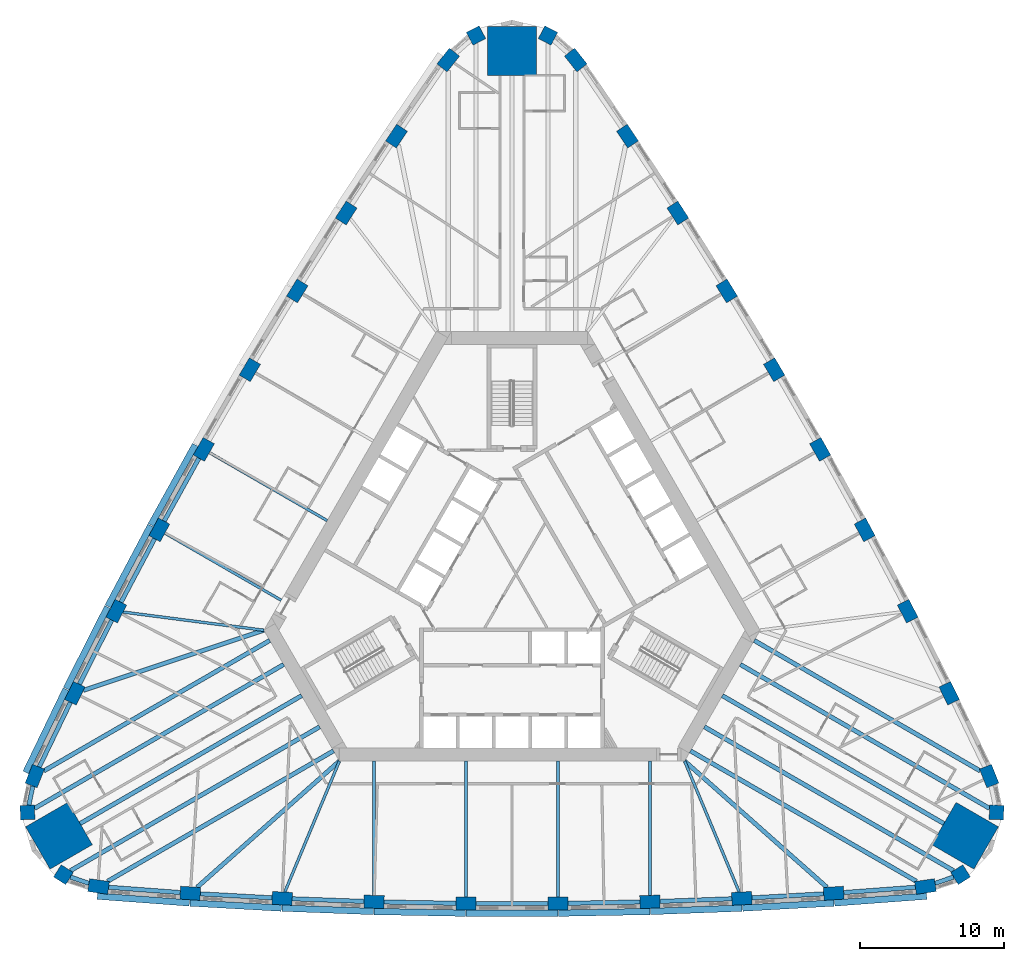
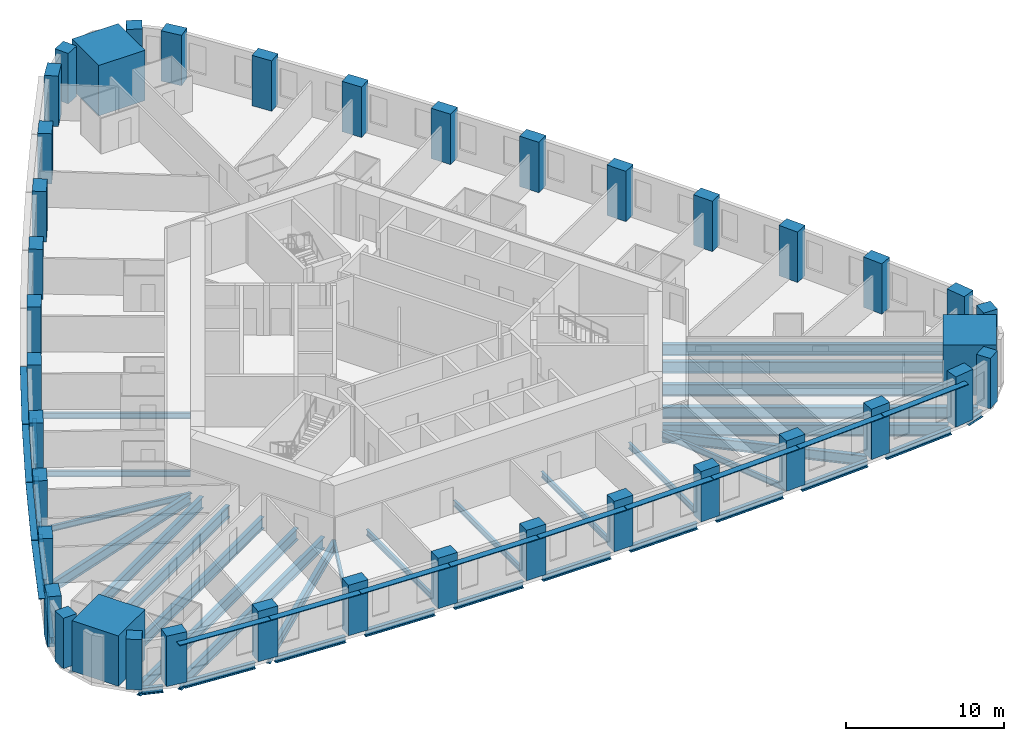
# One storey, part 1 of 12: 39 columns, 38 beams, 13 members.
"""IFC4 building model written with IfcOpenShell, lengths in metres."""

from ifc_helpers import new_model, si_unit, direction, frame, origin, origin_2d, place, context, subcontext, project, spatial, rectangle, i_section, extrude, material, material_profile, profile_set, type_object, element, save


model = new_model("IFC4")

# Units and contexts
model_context = context("Model", 3, precision=1e-05, world=origin(), true_north=direction((0.0, 1.0)))
body_context = subcontext(model_context, "Body", "Model", "MODEL_VIEW")
ifc_project = project(units=[si_unit("LENGTHUNIT", "METRE"), si_unit("AREAUNIT", "SQUARE_METRE"), si_unit("VOLUMEUNIT", "CUBIC_METRE"), si_unit("PLANEANGLEUNIT", "RADIAN"), si_unit("MASSUNIT", "GRAM", prefix="KILO")], contexts=[model_context])

# Site, building, storey
site_placement = place(None, origin())
site = spatial("IfcSite", under=ifc_project, at=site_placement, CompositionType="ELEMENT")
building_placement = place(site_placement, origin())
building = spatial("IfcBuilding", under=site, at=building_placement, Name="Mestral Congress Tower", CompositionType="ELEMENT")
storey_placement = place(building_placement, frame((0.0, 0.0, 43.199951171875)))
storey = spatial("IfcBuildingStorey", under=building, at=storey_placement, Name="L09", CompositionType="ELEMENT", Elevation=43.199951171875)

# Columns
ifc_material_1 = material(Name="Concrete C70/85", Category="concrete")
ifc_material_profile_1 = material_profile(ifc_material_1, rectangle(XDim=1.0, YDim=1.0, at=origin_2d()), Name="RC 1000x1000")
ifc_profile_set_1 = profile_set([ifc_material_profile_1], Name="Concrete C70/85")
column_type_1 = type_object("IfcColumnType", Name="Column RC 1000x1000 C70/85", PredefinedType="COLUMN", material=ifc_profile_set_1)
for number, where, z_axis, x_axis, name in (
    (1, (31.210205078125, -20.90966796875, 0.0), (0.0, 0.0, 1.0), (0.844485001826, 0.535579202071, 0.0), "COL-L09-C1-SE1"),
    (2, (33.71337890625, -16.573974609375, 0.0), (0.0, 0.0, 1.0), (0.041582693819, 0.999135065732, 0.0), "COL-L09-C1-SE3"),
    (3, (2.503173828125, 37.483642578125, 0.0), (0.0, 0.0, 1.0), (-0.886067695645, 0.463555863661, 0.0), "COL-L09-C1-N1"),
    (4, (-2.503173828125, 37.483642578125, 0.0), (0.0, 0.0, 1.0), (-0.886067695645, -0.463555863661, 0.0), "COL-L09-C1-N3"),
    (5, (-33.71337890625, -16.573974609375, 0.0), (0.0, 0.0, 1.0), (0.041582693819, -0.999135065732, 0.0), "COL-L09-C1-SW1"),
    (6, (-31.210205078125, -20.90966796875, 0.0), (0.0, 0.0, 1.0), (0.844485001826, -0.535579202071, 0.0), "COL-L09-C1-SW3"),
):
    element("IfcColumn", number, at=place(storey_placement, frame(where, z_axis=z_axis, x_axis=x_axis)), inside=storey, type_object=column_type_1, Name=name, PredefinedType="COLUMN", context=body_context, shape_type="SweptSolid", body=[
        extrude(rectangle(XDim=1.0, YDim=1.0, at=origin_2d()), origin(), (0.0, 0.0, 1.0), 3.900146484375),
    ])
ifc_material_profile_2 = material_profile(ifc_material_1, rectangle(XDim=1.39990234375, YDim=0.89990234375, at=origin_2d()), Name="RC 1400x900")
ifc_profile_set_2 = profile_set([ifc_material_profile_2], Name="Concrete C70/85")
column_type_2 = type_object("IfcColumnType", Name="Column RC 1400x900 C70/85", PredefinedType="COLUMN", material=ifc_profile_set_2)
for number, where, z_axis, x_axis, name in (
    (7, (-28.766845703125, -21.730712890625, 0.0), (0.0, 0.0, 1.0), (0.989423502484, -0.145055619443, 0.0), "COL-L09-C1-S00"),
    (8, (-22.384521484375, -22.20361328125, 0.0), (0.0, 0.0, 1.0), (0.997907501024, -0.064657709518, 0.0), "COL-L09-C1-S01"),
    (9, (-15.994384765625, -22.558349609375, 0.0), (0.0, 0.0, 1.0), (0.998932216029, -0.04619986774, 0.0), "COL-L09-C1-S02"),
    (10, (-9.598876953125, -22.794921875, 0.0), (0.0, 0.0, 1.0), (0.999615553977, -0.027726237529, 0.0), "COL-L09-C1-S03"),
    (11, (-3.199951171875, -22.9130859375, 0.0), (0.0, 0.0, 1.0), (0.999957281342, -0.009243132098, 0.0), "COL-L09-C1-S04"),
    (12, (3.199951171875, -22.9130859375, 0.0), (0.0, 0.0, 1.0), (0.999957281342, 0.009243132098, 0.0), "COL-L09-C1-S05"),
    (13, (9.598876953125, -22.794921875, 0.0), (0.0, 0.0, 1.0), (0.999615553977, 0.027726237529, 0.0), "COL-L09-C1-S06"),
    (14, (15.994384765625, -22.558349609375, 0.0), (0.0, 0.0, 1.0), (0.998932216029, 0.04619986774, 0.0), "COL-L09-C1-S07"),
    (15, (22.384521484375, -22.20361328125, 0.0), (0.0, 0.0, 1.0), (0.997907501024, 0.064657709518, 0.0), "COL-L09-C1-S08"),
    (16, (28.766845703125, -21.730712890625, 0.0), (0.0, 0.0, 1.0), (0.989423502484, 0.145055619443, 0.0), "COL-L09-C1-S09"),
    (17, (33.202880859375, -14.04736328125, 0.0), (0.0, 0.0, 1.0), (-0.369089899843, 0.929393697974, 0.0), "COL-L09-C1-E00"),
    (18, (30.421142578125, -8.28369140625, 0.0), (0.0, 0.0, 1.0), (-0.442958531519, 0.896542101273, 0.0), "COL-L09-C1-E01"),
    (19, (27.533203125, -2.572265625, 0.0), (0.0, 0.0, 1.0), (-0.4594558489, 0.88820060961, 0.0), "COL-L09-C1-E02"),
    (20, (24.540283203125, 3.084716796875, 0.0), (0.0, 0.0, 1.0), (-0.475796150937, 0.879555582526, 0.0), "COL-L09-C1-E03"),
    (21, (21.443359375, 8.685302734375, 0.0), (0.0, 0.0, 1.0), (-0.491973853463, 0.870609974391, 0.0), "COL-L09-C1-E04"),
    (22, (18.243408203125, 14.227783203125, 0.0), (0.0, 0.0, 1.0), (-0.507983427879, 0.861366842292, 0.0), "COL-L09-C1-E05"),
    (23, (14.941650390625, 19.710205078125, 0.0), (0.0, 0.0, 1.0), (-0.52381940304, 0.851829344998, 0.0), "COL-L09-C1-E06"),
    (24, (11.5390625, 25.130615234375, 0.0), (0.0, 0.0, 1.0), (-0.539476367129, 0.84200074187, 0.0), "COL-L09-C1-E07"),
    (25, (8.03662109375, 30.4873046875, 0.0), (0.0, 0.0, 1.0), (-0.554948969505, 0.831884391755, 0.0), "COL-L09-C1-E08"),
    (26, (4.43603515625, 35.7783203125, 0.0), (0.0, 0.0, 1.0), (-0.620333602641, 0.784338078531, 0.0), "COL-L09-C1-E09"),
    (27, (-4.43603515625, 35.7783203125, 0.0), (0.0, 0.0, 1.0), (-0.620333602641, -0.784338078531, 0.0), "COL-L09-C1-W00"),
    (28, (-8.03662109375, 30.4873046875, 0.0), (0.0, 0.0, 1.0), (-0.554948969505, -0.831884391755, 0.0), "COL-L09-C1-W01"),
    (29, (-11.5390625, 25.130615234375, 0.0), (0.0, 0.0, 1.0), (-0.539476367129, -0.84200074187, 0.0), "COL-L09-C1-W02"),
    (30, (-14.941650390625, 19.710205078125, 0.0), (0.0, 0.0, 1.0), (-0.52381940304, -0.851829344998, 0.0), "COL-L09-C1-W03"),
    (31, (-18.243408203125, 14.227783203125, 0.0), (0.0, 0.0, 1.0), (-0.507983427879, -0.861366842292, 0.0), "COL-L09-C1-W04"),
    (32, (-21.443359375, 8.685302734375, 0.0), (0.0, 0.0, 1.0), (-0.491973853463, -0.870609974391, 0.0), "COL-L09-C1-W05"),
    (33, (-24.540283203125, 3.084716796875, 0.0), (0.0, 0.0, 1.0), (-0.475796150937, -0.879555582526, 0.0), "COL-L09-C1-W06"),
    (34, (-27.533203125, -2.572265625, 0.0), (0.0, 0.0, 1.0), (-0.4594558489, -0.88820060961, 0.0), "COL-L09-C1-W07"),
    (35, (-30.421142578125, -8.28369140625, 0.0), (0.0, 0.0, 1.0), (-0.442958531519, -0.896542101273, 0.0), "COL-L09-C1-W08"),
    (36, (-33.202880859375, -14.04736328125, 0.0), (0.0, 0.0, 1.0), (-0.369089899843, -0.929393697974, 0.0), "COL-L09-C1-W09"),
):
    element("IfcColumn", number, at=place(storey_placement, frame(where, z_axis=z_axis, x_axis=x_axis)), inside=storey, type_object=column_type_2, Name=name, PredefinedType="COLUMN", context=body_context, shape_type="SweptSolid", body=[
        extrude(rectangle(XDim=1.39990234375, YDim=0.89990234375, at=origin_2d()), origin(), (0.0, 0.0, 1.0), 3.900146484375),
    ])
ifc_material_2 = material(Name="Concrete C80/95", Category="concrete")
ifc_material_profile_3 = material_profile(ifc_material_2, rectangle(XDim=3.39990234375, YDim=3.39990234375, at=origin_2d()), Name="RC 3400x3400")
ifc_profile_set_3 = profile_set([ifc_material_profile_3], Name="Concrete C80/95")
column_type_3 = type_object("IfcColumnType", Name="Mega column RC 3400x3400 C80/95", PredefinedType="COLUMN", material=ifc_profile_set_3)
for number, where, z_axis, x_axis, name in (
    (37, (31.5224609375, -18.199462890625, 0.0), (0.0, 0.0, 1.0), (0.866025403784, -0.5, 0.0), "COL-L09-PY1-SE"),
    (38, (0.0, 36.39892578125, 0.0), (0.0, 0.0, 1.0), (0.0, 1.0, 0.0), "COL-L09-PY1-N"),
    (39, (-31.5224609375, -18.199462890625, 0.0), (0.0, 0.0, 1.0), (-0.866025403784, -0.5, 0.0), "COL-L09-PY1-SW"),
):
    element("IfcColumn", number, at=place(storey_placement, frame(where, z_axis=z_axis, x_axis=x_axis)), inside=storey, type_object=column_type_3, Name=name, PredefinedType="COLUMN", context=body_context, shape_type="SweptSolid", body=[
        extrude(rectangle(XDim=3.39990234375, YDim=3.39990234375, at=origin_2d()), origin(), (0.0, 0.0, 1.0), 3.900146484375),
    ])

# Members
ifc_material_3 = material(Name="Glazed ceramic", Category="masonry")
ifc_material_profile_4 = material_profile(ifc_material_3, rectangle(XDim=0.449951171875, YDim=0.06005859375, at=origin_2d()), Name="Ceramic blade 450 x 60")
ifc_profile_set_4 = profile_set([ifc_material_profile_4], Name="Glazed ceramic")
member_type = type_object("IfcMemberType", Name="Facade sunshade blade 450 x 60", PredefinedType="USERDEFINED", material=ifc_profile_set_4)
member_1_placement = place(storey_placement, frame((-28.853271484375, -22.4013671875, 3.280029296875), z_axis=(0.997269829073, -0.073843672858, 0.0), x_axis=(0.073843672858, 0.997269829073, 0.0)))
element("IfcMember", 40, at=member_1_placement, inside=storey, type_object=member_type, Name="Sunshade F0-00", ObjectType="SUNSHADE", PredefinedType="USERDEFINED", context=body_context, shape_type="SweptSolid", body=[
    extrude(rectangle(XDim=0.449951171875, YDim=0.06005859375, at=origin_2d()), origin(), (0.0, 0.0, 1.0), 6.420654296875),
])
member_2_placement = place(storey_placement, frame((-22.406005859375, -22.87841796875, 3.280029296875), z_axis=(0.998462240013, -0.055436046654, 0.0), x_axis=(0.055436046654, 0.998462240013, 0.0)))
element("IfcMember", 41, at=member_2_placement, inside=storey, type_object=member_type, Name="Sunshade F0-01", ObjectType="SUNSHADE", PredefinedType="USERDEFINED", context=body_context, shape_type="SweptSolid", body=[
    extrude(rectangle(XDim=0.449951171875, YDim=0.06005859375, at=origin_2d()), origin(), (0.0, 0.0, 1.0), 6.3681640625),
])
member_3_placement = place(storey_placement, frame((-16.00341796875, -23.2333984375, 3.280029296875), z_axis=(0.99931546381, -0.036994645436, 0.0), x_axis=(0.036994645436, 0.99931546381, 0.0)))
element("IfcMember", 42, at=member_3_placement, inside=storey, type_object=member_type, Name="Sunshade F0-02", ObjectType="SUNSHADE", PredefinedType="USERDEFINED", context=body_context, shape_type="SweptSolid", body=[
    extrude(rectangle(XDim=0.449951171875, YDim=0.06005859375, at=origin_2d()), origin(), (0.0, 0.0, 1.0), 6.368408203125),
])
for number, where, z_axis, x_axis, name in (
    (43, (-9.595458984375, -23.47021484375, 3.280029296875), (0.99982925906, -0.018478439527, 0.0), (0.018478439527, 0.99982925906, 0.0), "Sunshade F0-03"),
    (44, (-3.18408203125, -23.588134765625, 3.280029296875), (1.0, 0.0, 0.0), (0.0, 1.0, 0.0), "Sunshade F0-04"),
    (45, (3.228271484375, -23.587890625, 3.280029296875), (0.99982925906, 0.018478439527, 0.0), (-0.018478439527, 0.99982925906, 0.0), "Sunshade F0-05"),
):
    element("IfcMember", number, at=place(storey_placement, frame(where, z_axis=z_axis, x_axis=x_axis)), inside=storey, type_object=member_type, Name=name, ObjectType="SUNSHADE", PredefinedType="USERDEFINED", context=body_context, shape_type="SweptSolid", body=[
        extrude(rectangle(XDim=0.449951171875, YDim=0.06005859375, at=origin_2d()), origin(), (0.0, 0.0, 1.0), 6.3681640625),
    ])
member_4_placement = place(storey_placement, frame((9.639404296875, -23.468994140625, 3.280029296875), z_axis=(0.99931546381, 0.036994645436, 0.0), x_axis=(-0.036994645436, 0.99931546381, 0.0)))
element("IfcMember", 46, at=member_4_placement, inside=storey, type_object=member_type, Name="Sunshade F0-06", ObjectType="SUNSHADE", PredefinedType="USERDEFINED", context=body_context, shape_type="SweptSolid", body=[
    extrude(rectangle(XDim=0.449951171875, YDim=0.06005859375, at=origin_2d()), origin(), (0.0, 0.0, 1.0), 6.368408203125),
])
member_5_placement = place(storey_placement, frame((16.047607421875, -23.2314453125, 3.280029296875), z_axis=(0.998462240013, 0.055436046654, 0.0), x_axis=(-0.055436046654, 0.998462240013, 0.0)))
element("IfcMember", 47, at=member_5_placement, inside=storey, type_object=member_type, Name="Sunshade F0-07", ObjectType="SUNSHADE", PredefinedType="USERDEFINED", context=body_context, shape_type="SweptSolid", body=[
    extrude(rectangle(XDim=0.449951171875, YDim=0.06005859375, at=origin_2d()), origin(), (0.0, 0.0, 1.0), 6.3681640625),
])
member_6_placement = place(storey_placement, frame((22.4501953125, -22.87548828125, 3.280029296875), z_axis=(0.997269829073, 0.073843672858, 0.0), x_axis=(-0.073843672858, 0.997269829073, 0.0)))
element("IfcMember", 48, at=member_6_placement, inside=storey, type_object=member_type, Name="Sunshade F0-08", ObjectType="SUNSHADE", PredefinedType="USERDEFINED", context=body_context, shape_type="SweptSolid", body=[
    extrude(rectangle(XDim=0.449951171875, YDim=0.06005859375, at=origin_2d()), origin(), (0.0, 0.0, 1.0), 6.420654296875),
])
for number, where, z_axis, x_axis, name in (
    (49, (-22.041748046875, 8.998291015625, 3.280029296875), (-0.483893994258, -0.875126620736, 0.0), (0.875126620736, -0.483893994258, 0.0), "Sunshade F2-05"),
    (50, (-25.144287109375, 3.38623046875, 3.280029296875), (-0.467674573128, -0.883900726128, 0.0), (0.883900726128, -0.467674573128, 0.0), "Sunshade F2-06"),
    (51, (-28.142822265625, -2.28173828125, 3.280029296875), (-0.451226804026, -0.892409307061, 0.0), (0.892409307061, -0.451226804026, 0.0), "Sunshade F2-07"),
):
    element("IfcMember", number, at=place(storey_placement, frame(where, z_axis=z_axis, x_axis=x_axis)), inside=storey, type_object=member_type, Name=name, ObjectType="SUNSHADE", PredefinedType="USERDEFINED", context=body_context, shape_type="SweptSolid", body=[
        extrude(rectangle(XDim=0.449951171875, YDim=0.06005859375, at=origin_2d()), origin(), (0.0, 0.0, 1.0), 6.3681640625),
    ])
member_7_placement = place(storey_placement, frame((-31.035888671875, -8.00439453125, 3.280029296875), z_axis=(-0.434637414368, -0.900605528537, 0.0), x_axis=(0.900605528537, -0.434637414368, 0.0)))
element("IfcMember", 52, at=member_7_placement, inside=storey, type_object=member_type, Name="Sunshade F2-08", ObjectType="SUNSHADE", PredefinedType="USERDEFINED", context=body_context, shape_type="SweptSolid", body=[
    extrude(rectangle(XDim=0.449951171875, YDim=0.06005859375, at=origin_2d()), origin(), (0.0, 0.0, 1.0), 6.4208984375),
])

# Beams
ifc_material_4 = material(Name="Steel S355", Category="steel")
ifc_material_profile_5 = material_profile(ifc_material_4, i_section(OverallWidth=0.300048828125, OverallDepth=0.800048828125, WebThickness=0.017578125, FlangeThickness=0.032958984375, FilletRadius=0.030029296875, at=origin_2d()), Name="HEB 800")
ifc_profile_set_5 = profile_set([ifc_material_profile_5], Name="Steel S355")
beam_type_1 = type_object("IfcBeamType", Name="Floor beam HEB 800 S355", PredefinedType="BEAM", material=ifc_profile_set_5)
for number, where, z_axis, x_axis, name in (
    (53, (-21.91064453125, -21.783447265625, -0.64990234375), (0.748091770025, 0.663595286015, 0.0), (-0.663595286015, 0.748091770025, 0.0), "BM-L09-RB1-S01"),
    (54, (21.91064453125, -21.783447265625, -0.64990234375), (-0.748091770025, 0.663595286015, 0.0), (-0.663595286015, -0.748091770025, 0.0), "BM-L09-RB1-S08"),
    (55, (-29.8203125, -8.08349609375, -0.64990234375), (0.948734931285, 0.316072824141, 0.0), (-0.316072824141, 0.948734931285, 0.0), "BM-L09-RB1-W08"),
):
    element("IfcBeam", number, at=place(storey_placement, frame(where, z_axis=z_axis, x_axis=x_axis)), inside=storey, type_object=beam_type_1, Name=name, PredefinedType="BEAM", context=body_context, shape_type="SweptSolid", body=[
        extrude(i_section(OverallWidth=0.300048828125, OverallDepth=0.800048828125, WebThickness=0.017578125, FlangeThickness=0.032958984375, FilletRadius=0.030029296875, at=origin_2d()), origin(), (0.0, 0.0, 1.0), 13.236083984375),
    ])
ifc_material_profile_6 = material_profile(ifc_material_4, i_section(OverallWidth=0.300048828125, OverallDepth=0.89990234375, WebThickness=0.0185546875, FlangeThickness=0.034912109375, FilletRadius=0.030029296875, at=origin_2d()), Name="HEB 900")
ifc_profile_set_6 = profile_set([ifc_material_profile_6], Name="Steel S355")
beam_type_2 = type_object("IfcBeamType", Name="Floor beam HEB 900 S355", PredefinedType="BEAM", material=ifc_profile_set_6)
for number, where, z_axis, x_axis, name in (
    (56, (-28.138671875, -21.3681640625, -0.699951171875), (0.866027243369, 0.499996813733, 0.0), (-0.499996813733, 0.866027243369, 0.0), "BM-L09-RB1-S00"),
    (57, (28.138671875, -21.3681640625, -0.699951171875), (-0.866027243369, 0.499996813733, 0.0), (-0.499996813733, -0.866027243369, 0.0), "BM-L09-RB1-S09"),
):
    element("IfcBeam", number, at=place(storey_placement, frame(where, z_axis=z_axis, x_axis=x_axis)), inside=storey, type_object=beam_type_2, Name=name, PredefinedType="BEAM", context=body_context, shape_type="SweptSolid", body=[
        extrude(i_section(OverallWidth=0.300048828125, OverallDepth=0.89990234375, WebThickness=0.0185546875, FlangeThickness=0.034912109375, FilletRadius=0.030029296875, at=origin_2d()), origin(), (0.0, 0.0, 1.0), 18.15283203125),
    ])
beam_1_placement = place(storey_placement, frame((30.721435546875, -20.62744140625, -0.699951171875), z_axis=(-0.866027382289, 0.499996573113, 0.0), x_axis=(-0.499996573113, -0.866027382289, 0.0)))
element("IfcBeam", 58, at=beam_1_placement, inside=storey, type_object=beam_type_2, Name="BM-L09-RB1-SE1", PredefinedType="BEAM", context=body_context, shape_type="SweptSolid", body=[
    extrude(i_section(OverallWidth=0.300048828125, OverallDepth=0.89990234375, WebThickness=0.0185546875, FlangeThickness=0.034912109375, FilletRadius=0.030029296875, at=origin_2d()), origin(), (0.0, 0.0, 1.0), 20.019287109375),
])
beam_2_placement = place(storey_placement, frame((30.050048828125, -17.349609375, -0.699951171875), z_axis=(-0.866020438056, 0.500008600796, 0.0), x_axis=(-0.500008600796, -0.866020438056, 0.0)))
element("IfcBeam", 59, at=beam_2_placement, inside=storey, type_object=beam_type_2, Name="BM-L09-RB1-SE", PredefinedType="BEAM", context=body_context, shape_type="SweptSolid", body=[
    extrude(i_section(OverallWidth=0.300048828125, OverallDepth=0.89990234375, WebThickness=0.0185546875, FlangeThickness=0.034912109375, FilletRadius=0.030029296875, at=origin_2d()), origin(), (0.0, 0.0, 1.0), 17.799072265625),
])
beam_3_placement = place(storey_placement, frame((33.224609375, -16.291748046875, -0.699951171875), z_axis=(-0.866027382289, 0.499996573113, 0.0), x_axis=(-0.499996573113, -0.866027382289, 0.0)))
element("IfcBeam", 60, at=beam_3_placement, inside=storey, type_object=beam_type_2, Name="BM-L09-RB1-SE3", PredefinedType="BEAM", context=body_context, shape_type="SweptSolid", body=[
    extrude(i_section(OverallWidth=0.300048828125, OverallDepth=0.89990234375, WebThickness=0.0185546875, FlangeThickness=0.034912109375, FilletRadius=0.030029296875, at=origin_2d()), origin(), (0.0, 0.0, 1.0), 20.019287109375),
])
for number, where, z_axis, x_axis, name in (
    (61, (32.574462890625, -13.6845703125, -0.699951171875), (-0.866029704776, 0.49999255039, 0.0), (-0.49999255039, -0.866029704776, 0.0), "BM-L09-RB1-E00"),
    (62, (-32.574462890625, -13.6845703125, -0.699951171875), (0.866029704776, 0.49999255039, 0.0), (-0.49999255039, 0.866029704776, 0.0), "BM-L09-RB1-W09"),
):
    element("IfcBeam", number, at=place(storey_placement, frame(where, z_axis=z_axis, x_axis=x_axis)), inside=storey, type_object=beam_type_2, Name=name, PredefinedType="BEAM", context=body_context, shape_type="SweptSolid", body=[
        extrude(i_section(OverallWidth=0.300048828125, OverallDepth=0.89990234375, WebThickness=0.0185546875, FlangeThickness=0.034912109375, FilletRadius=0.030029296875, at=origin_2d()), origin(), (0.0, 0.0, 1.0), 18.152587890625),
    ])
beam_4_placement = place(storey_placement, frame((-33.224609375, -16.291748046875, -0.699951171875), z_axis=(0.866027382289, 0.499996573113, 0.0), x_axis=(-0.499996573113, 0.866027382289, 0.0)))
element("IfcBeam", 63, at=beam_4_placement, inside=storey, type_object=beam_type_2, Name="BM-L09-RB1-SW1", PredefinedType="BEAM", context=body_context, shape_type="SweptSolid", body=[
    extrude(i_section(OverallWidth=0.300048828125, OverallDepth=0.89990234375, WebThickness=0.0185546875, FlangeThickness=0.034912109375, FilletRadius=0.030029296875, at=origin_2d()), origin(), (0.0, 0.0, 1.0), 20.019287109375),
])
beam_5_placement = place(storey_placement, frame((-30.050048828125, -17.349609375, -0.699951171875), z_axis=(0.866020438056, 0.500008600796, 0.0), x_axis=(-0.500008600796, 0.866020438056, 0.0)))
element("IfcBeam", 64, at=beam_5_placement, inside=storey, type_object=beam_type_2, Name="BM-L09-RB1-SW", PredefinedType="BEAM", context=body_context, shape_type="SweptSolid", body=[
    extrude(i_section(OverallWidth=0.300048828125, OverallDepth=0.89990234375, WebThickness=0.0185546875, FlangeThickness=0.034912109375, FilletRadius=0.030029296875, at=origin_2d()), origin(), (0.0, 0.0, 1.0), 17.799072265625),
])
beam_6_placement = place(storey_placement, frame((-30.721435546875, -20.62744140625, -0.699951171875), z_axis=(0.866027382289, 0.499996573113, 0.0), x_axis=(-0.499996573113, 0.866027382289, 0.0)))
element("IfcBeam", 65, at=beam_6_placement, inside=storey, type_object=beam_type_2, Name="BM-L09-RB1-SW3", PredefinedType="BEAM", context=body_context, shape_type="SweptSolid", body=[
    extrude(i_section(OverallWidth=0.300048828125, OverallDepth=0.89990234375, WebThickness=0.0185546875, FlangeThickness=0.034912109375, FilletRadius=0.030029296875, at=origin_2d()), origin(), (0.0, 0.0, 1.0), 20.019287109375),
])
ifc_material_profile_7 = material_profile(ifc_material_4, i_section(OverallWidth=0.18994140625, OverallDepth=0.449951171875, WebThickness=0.009521484375, FlangeThickness=0.0146484375, FilletRadius=0.02099609375, at=origin_2d()), Name="IPE 450")
ifc_profile_set_7 = profile_set([ifc_material_profile_7], Name="Steel S355")
beam_type_3 = type_object("IfcBeamType", Name="Floor beam IPE 450 S355", PredefinedType="BEAM", material=ifc_profile_set_7)
beam_7_placement = place(storey_placement, frame((-15.81005859375, -22.116455078125, -0.474853515625), z_axis=(0.384852309441, 0.922978168711, 0.0), x_axis=(-0.922978168711, 0.384852309441, 0.0)))
element("IfcBeam", 66, at=beam_7_placement, inside=storey, type_object=beam_type_3, Name="BM-L09-RB1-S02", PredefinedType="BEAM", context=body_context, shape_type="SweptSolid", body=[
    extrude(i_section(OverallWidth=0.18994140625, OverallDepth=0.449951171875, WebThickness=0.009521484375, FlangeThickness=0.0146484375, FilletRadius=0.02099609375, at=origin_2d()), origin(), (0.0, 0.0, 1.0), 9.877197265625),
])
beam_8_placement = place(storey_placement, frame((-9.598876953125, -22.3447265625, -0.474853515625), z_axis=(0.0, 1.0, 0.0), x_axis=(-1.0, 0.0, 0.0)))
element("IfcBeam", 67, at=beam_8_placement, inside=storey, type_object=beam_type_3, Name="BM-L09-RB1-S03", PredefinedType="BEAM", context=body_context, shape_type="SweptSolid", body=[
    extrude(i_section(OverallWidth=0.18994140625, OverallDepth=0.449951171875, WebThickness=0.009521484375, FlangeThickness=0.0146484375, FilletRadius=0.02099609375, at=origin_2d()), origin(), (0.0, 0.0, 1.0), 9.3447265625),
])
for number, where, z_axis, x_axis, name in (
    (68, (-3.199951171875, -22.463134765625, -0.474853515625), (0.0, 1.0, 0.0), (-1.0, 0.0, 0.0), "BM-L09-RB1-S04"),
    (69, (3.199951171875, -22.463134765625, -0.474853515625), (0.0, 1.0, 0.0), (-1.0, 0.0, 0.0), "BM-L09-RB1-S05"),
):
    element("IfcBeam", number, at=place(storey_placement, frame(where, z_axis=z_axis, x_axis=x_axis)), inside=storey, type_object=beam_type_3, Name=name, PredefinedType="BEAM", context=body_context, shape_type="SweptSolid", body=[
        extrude(i_section(OverallWidth=0.18994140625, OverallDepth=0.449951171875, WebThickness=0.009521484375, FlangeThickness=0.0146484375, FilletRadius=0.02099609375, at=origin_2d()), origin(), (0.0, 0.0, 1.0), 9.463134765625),
    ])
beam_9_placement = place(storey_placement, frame((9.598876953125, -22.3447265625, -0.474853515625), z_axis=(0.0, 1.0, 0.0), x_axis=(-1.0, 0.0, 0.0)))
element("IfcBeam", 70, at=beam_9_placement, inside=storey, type_object=beam_type_3, Name="BM-L09-RB1-S06", PredefinedType="BEAM", context=body_context, shape_type="SweptSolid", body=[
    extrude(i_section(OverallWidth=0.18994140625, OverallDepth=0.449951171875, WebThickness=0.009521484375, FlangeThickness=0.0146484375, FilletRadius=0.02099609375, at=origin_2d()), origin(), (0.0, 0.0, 1.0), 9.3447265625),
])
beam_10_placement = place(storey_placement, frame((15.81005859375, -22.116455078125, -0.474853515625), z_axis=(-0.384852309441, 0.922978168711, 0.0), x_axis=(-0.922978168711, -0.384852309441, 0.0)))
element("IfcBeam", 71, at=beam_10_placement, inside=storey, type_object=beam_type_3, Name="BM-L09-RB1-S07", PredefinedType="BEAM", context=body_context, shape_type="SweptSolid", body=[
    extrude(i_section(OverallWidth=0.18994140625, OverallDepth=0.449951171875, WebThickness=0.009521484375, FlangeThickness=0.0146484375, FilletRadius=0.02099609375, at=origin_2d()), origin(), (0.0, 0.0, 1.0), 9.877197265625),
])
beam_11_placement = place(storey_placement, frame((-21.0537109375, 8.46044921875, -0.474853515625), z_axis=(0.866019749231, -0.500009793847, 0.0), x_axis=(0.500009793847, 0.866019749231, 0.0)))
element("IfcBeam", 72, at=beam_11_placement, inside=storey, type_object=beam_type_3, Name="BM-L09-RB1-W05", PredefinedType="BEAM", context=body_context, shape_type="SweptSolid", body=[
    extrude(i_section(OverallWidth=0.18994140625, OverallDepth=0.449951171875, WebThickness=0.009521484375, FlangeThickness=0.0146484375, FilletRadius=0.02099609375, at=origin_2d()), origin(), (0.0, 0.0, 1.0), 9.463134765625),
])
beam_12_placement = place(storey_placement, frame((-24.150634765625, 2.859619140625, -0.474853515625), z_axis=(0.866032011123, -0.499988555579, 0.0), x_axis=(0.499988555579, 0.866032011123, 0.0)))
element("IfcBeam", 73, at=beam_12_placement, inside=storey, type_object=beam_type_3, Name="BM-L09-RB1-W06", PredefinedType="BEAM", context=body_context, shape_type="SweptSolid", body=[
    extrude(i_section(OverallWidth=0.18994140625, OverallDepth=0.449951171875, WebThickness=0.009521484375, FlangeThickness=0.0146484375, FilletRadius=0.02099609375, at=origin_2d()), origin(), (0.0, 0.0, 1.0), 9.344970703125),
])
beam_13_placement = place(storey_placement, frame((-27.058349609375, -2.6337890625, -0.474853515625), z_axis=(0.99175011495, -0.128186229747, 0.0), x_axis=(0.128186229747, 0.99175011495, 0.0)))
element("IfcBeam", 74, at=beam_13_placement, inside=storey, type_object=beam_type_3, Name="BM-L09-RB1-W07", PredefinedType="BEAM", context=body_context, shape_type="SweptSolid", body=[
    extrude(i_section(OverallWidth=0.18994140625, OverallDepth=0.449951171875, WebThickness=0.009521484375, FlangeThickness=0.0146484375, FilletRadius=0.02099609375, at=origin_2d()), origin(), (0.0, 0.0, 1.0), 9.877197265625),
])
ifc_material_profile_8 = material_profile(ifc_material_4, i_section(OverallWidth=0.300048828125, OverallDepth=0.489990234375, WebThickness=0.011962890625, FlangeThickness=0.02294921875, FilletRadius=0.027099609375, at=origin_2d()), Name="HEA 500")
ifc_profile_set_8 = profile_set([ifc_material_profile_8], Name="Steel S355")
beam_type_4 = type_object("IfcBeamType", Name="Spandrel beam HEA 500 S355", PredefinedType="BEAM", material=ifc_profile_set_8)
beam_14_placement = place(storey_placement, frame((-28.06689453125, -21.78271484375, -0.494873046875), z_axis=(0.997268820599, -0.073857291181, 0.0), x_axis=(0.073857291181, 0.997268820599, 0.0)))
element("IfcBeam", 75, at=beam_14_placement, inside=storey, type_object=beam_type_4, Name="SP-L09-SB1-S00", PredefinedType="BEAM", context=body_context, shape_type="SweptSolid", body=[
    extrude(i_section(OverallWidth=0.300048828125, OverallDepth=0.489990234375, WebThickness=0.011962890625, FlangeThickness=0.02294921875, FilletRadius=0.027099609375, at=origin_2d()), origin(), (0.0, 0.0, 1.0), 4.998046875),
])
for number, where, z_axis, x_axis, name in (
    (76, (-21.685546875, -22.242431640625, -0.494873046875), (0.998463056415, -0.055421340426, 0.0), (0.055421340426, 0.998463056415, 0.0), "SP-L09-SB1-S01"),
    (77, (-15.294677734375, -22.584228515625, -0.494873046875), (0.999316571833, -0.036964702901, 0.0), (0.036964702901, 0.999316571833, 0.0), "SP-L09-SB1-S02"),
    (78, (-8.89892578125, -22.807861328125, -0.494873046875), (0.999829645984, -0.018457492, 0.0), (0.018457492, 0.999829645984, 0.0), "SP-L09-SB1-S03"),
):
    element("IfcBeam", number, at=place(storey_placement, frame(where, z_axis=z_axis, x_axis=x_axis)), inside=storey, type_object=beam_type_4, Name=name, PredefinedType="BEAM", context=body_context, shape_type="SweptSolid", body=[
        extrude(i_section(OverallWidth=0.300048828125, OverallDepth=0.489990234375, WebThickness=0.011962890625, FlangeThickness=0.02294921875, FilletRadius=0.027099609375, at=origin_2d()), origin(), (0.0, 0.0, 1.0), 4.999755859375),
    ])
beam_15_placement = place(storey_placement, frame((-2.5, -22.9130859375, -0.494873046875), z_axis=(1.0, 0.0, 0.0), x_axis=(0.0, 1.0, 0.0)))
element("IfcBeam", 79, at=beam_15_placement, inside=storey, type_object=beam_type_4, Name="SP-L09-SB1-S04", PredefinedType="BEAM", context=body_context, shape_type="SweptSolid", body=[
    extrude(i_section(OverallWidth=0.300048828125, OverallDepth=0.489990234375, WebThickness=0.011962890625, FlangeThickness=0.02294921875, FilletRadius=0.027099609375, at=origin_2d()), origin(), (0.0, 0.0, 1.0), 5.0),
])
for number, where, z_axis, x_axis, name in (
    (80, (3.89990234375, -22.900146484375, -0.494873046875), (0.999829645984, 0.018457492, 0.0), (-0.018457492, 0.999829645984, 0.0), "SP-L09-SB1-S05"),
    (81, (10.29833984375, -22.76904296875, -0.494873046875), (0.999316571833, 0.036964702901, 0.0), (-0.036964702901, 0.999316571833, 0.0), "SP-L09-SB1-S06"),
    (82, (16.693359375, -22.51953125, -0.494873046875), (0.998463056415, 0.055421340426, 0.0), (-0.055421340426, 0.998463056415, 0.0), "SP-L09-SB1-S07"),
):
    element("IfcBeam", number, at=place(storey_placement, frame(where, z_axis=z_axis, x_axis=x_axis)), inside=storey, type_object=beam_type_4, Name=name, PredefinedType="BEAM", context=body_context, shape_type="SweptSolid", body=[
        extrude(i_section(OverallWidth=0.300048828125, OverallDepth=0.489990234375, WebThickness=0.011962890625, FlangeThickness=0.02294921875, FilletRadius=0.027099609375, at=origin_2d()), origin(), (0.0, 0.0, 1.0), 4.999755859375),
    ])
beam_16_placement = place(storey_placement, frame((23.08251953125, -22.15185546875, -0.494873046875), z_axis=(0.997268820599, 0.073857291181, 0.0), x_axis=(-0.073857291181, 0.997268820599, 0.0)))
element("IfcBeam", 83, at=beam_16_placement, inside=storey, type_object=beam_type_4, Name="SP-L09-SB1-S08", PredefinedType="BEAM", context=body_context, shape_type="SweptSolid", body=[
    extrude(i_section(OverallWidth=0.300048828125, OverallDepth=0.489990234375, WebThickness=0.011962890625, FlangeThickness=0.02294921875, FilletRadius=0.027099609375, at=origin_2d()), origin(), (0.0, 0.0, 1.0), 4.998046875),
])
beam_17_placement = place(storey_placement, frame((29.441162109375, -21.504150390625, -0.494873046875), z_axis=(0.947921796083, 0.318503168762, 0.0), x_axis=(-0.318503168762, 0.947921796083, 0.0)))
element("IfcBeam", 84, at=beam_17_placement, inside=storey, type_object=beam_type_4, Name="SP-L09-SB1-S09", PredefinedType="BEAM", context=body_context, shape_type="SweptSolid", body=[
    extrude(i_section(OverallWidth=0.300048828125, OverallDepth=0.489990234375, WebThickness=0.011962890625, FlangeThickness=0.02294921875, FilletRadius=0.027099609375, at=origin_2d()), origin(), (0.0, 0.0, 1.0), 1.351318359375),
])
beam_18_placement = place(storey_placement, frame((-21.7822265625, 8.07275390625, -0.494873046875), z_axis=(-0.483900688062, -0.875122919419, 0.0), x_axis=(0.875122919419, -0.483900688062, 0.0)))
element("IfcBeam", 85, at=beam_18_placement, inside=storey, type_object=beam_type_4, Name="SP-L09-SB1-W05", PredefinedType="BEAM", context=body_context, shape_type="SweptSolid", body=[
    extrude(i_section(OverallWidth=0.300048828125, OverallDepth=0.489990234375, WebThickness=0.011962890625, FlangeThickness=0.02294921875, FilletRadius=0.027099609375, at=origin_2d()), origin(), (0.0, 0.0, 1.0), 4.999755859375),
])
beam_19_placement = place(storey_placement, frame((-24.86767578125, 2.4658203125, -0.494873046875), z_axis=(-0.467681307417, -0.883897162962, 0.0), x_axis=(0.883897162962, -0.467681307417, 0.0)))
element("IfcBeam", 86, at=beam_19_placement, inside=storey, type_object=beam_type_4, Name="SP-L09-SB1-W06", PredefinedType="BEAM", context=body_context, shape_type="SweptSolid", body=[
    extrude(i_section(OverallWidth=0.300048828125, OverallDepth=0.489990234375, WebThickness=0.011962890625, FlangeThickness=0.02294921875, FilletRadius=0.027099609375, at=origin_2d()), origin(), (0.0, 0.0, 1.0), 5.0),
])
beam_20_placement = place(storey_placement, frame((-27.84912109375, -3.197021484375, -0.494873046875), z_axis=(-0.45123261425, -0.892406369227, 0.0), x_axis=(0.892406369227, -0.45123261425, 0.0)))
element("IfcBeam", 87, at=beam_20_placement, inside=storey, type_object=beam_type_4, Name="SP-L09-SB1-W07", PredefinedType="BEAM", context=body_context, shape_type="SweptSolid", body=[
    extrude(i_section(OverallWidth=0.300048828125, OverallDepth=0.489990234375, WebThickness=0.011962890625, FlangeThickness=0.02294921875, FilletRadius=0.027099609375, at=origin_2d()), origin(), (0.0, 0.0, 1.0), 4.999755859375),
])
beam_21_placement = place(storey_placement, frame((-30.725341796875, -8.9140625, -0.494873046875), z_axis=(-0.434645244295, -0.900601749727, 0.0), x_axis=(0.900601749727, -0.434645244295, 0.0)))
element("IfcBeam", 88, at=beam_21_placement, inside=storey, type_object=beam_type_4, Name="SP-L09-SB1-W08", PredefinedType="BEAM", context=body_context, shape_type="SweptSolid", body=[
    extrude(i_section(OverallWidth=0.300048828125, OverallDepth=0.489990234375, WebThickness=0.011962890625, FlangeThickness=0.02294921875, FilletRadius=0.027099609375, at=origin_2d()), origin(), (0.0, 0.0, 1.0), 4.998046875),
])
beam_22_placement = place(storey_placement, frame((-33.34375, -14.74462890625, -0.494873046875), z_axis=(-0.197991750859, -0.980203686277, 0.0), x_axis=(0.980203686277, -0.197991750859, 0.0)))
element("IfcBeam", 89, at=beam_22_placement, inside=storey, type_object=beam_type_4, Name="SP-L09-SB1-W09", PredefinedType="BEAM", context=body_context, shape_type="SweptSolid", body=[
    extrude(i_section(OverallWidth=0.300048828125, OverallDepth=0.489990234375, WebThickness=0.011962890625, FlangeThickness=0.02294921875, FilletRadius=0.027099609375, at=origin_2d()), origin(), (0.0, 0.0, 1.0), 1.3515625),
])
beam_23_placement = place(storey_placement, frame((-30.72216796875, -21.07373046875, -0.494873046875), z_axis=(0.947921796083, -0.318503168762, 0.0), x_axis=(0.318503168762, 0.947921796083, 0.0)))
element("IfcBeam", 90, at=beam_23_placement, inside=storey, type_object=beam_type_4, Name="SP-L09-SB1-SW3", PredefinedType="BEAM", context=body_context, shape_type="SweptSolid", body=[
    extrude(i_section(OverallWidth=0.300048828125, OverallDepth=0.489990234375, WebThickness=0.011962890625, FlangeThickness=0.02294921875, FilletRadius=0.027099609375, at=origin_2d()), origin(), (0.0, 0.0, 1.0), 1.351318359375),
])

save(model, "model.ifc")
